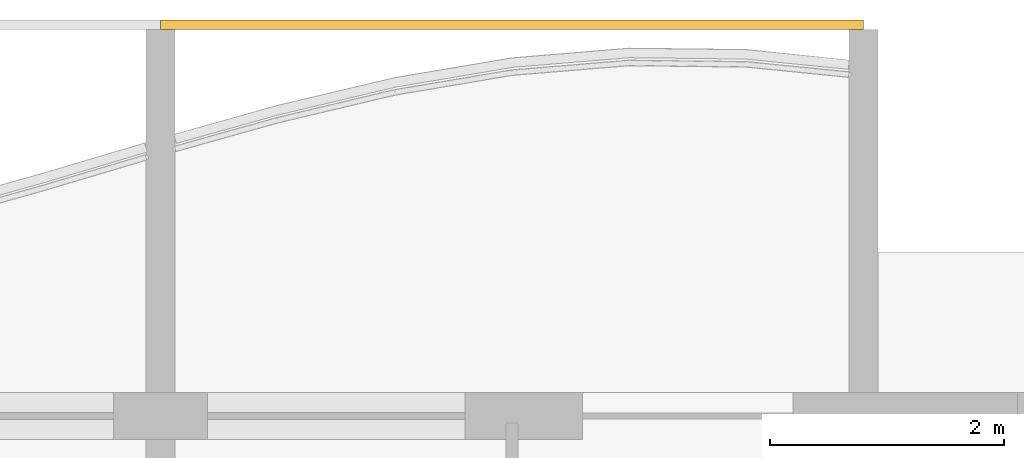
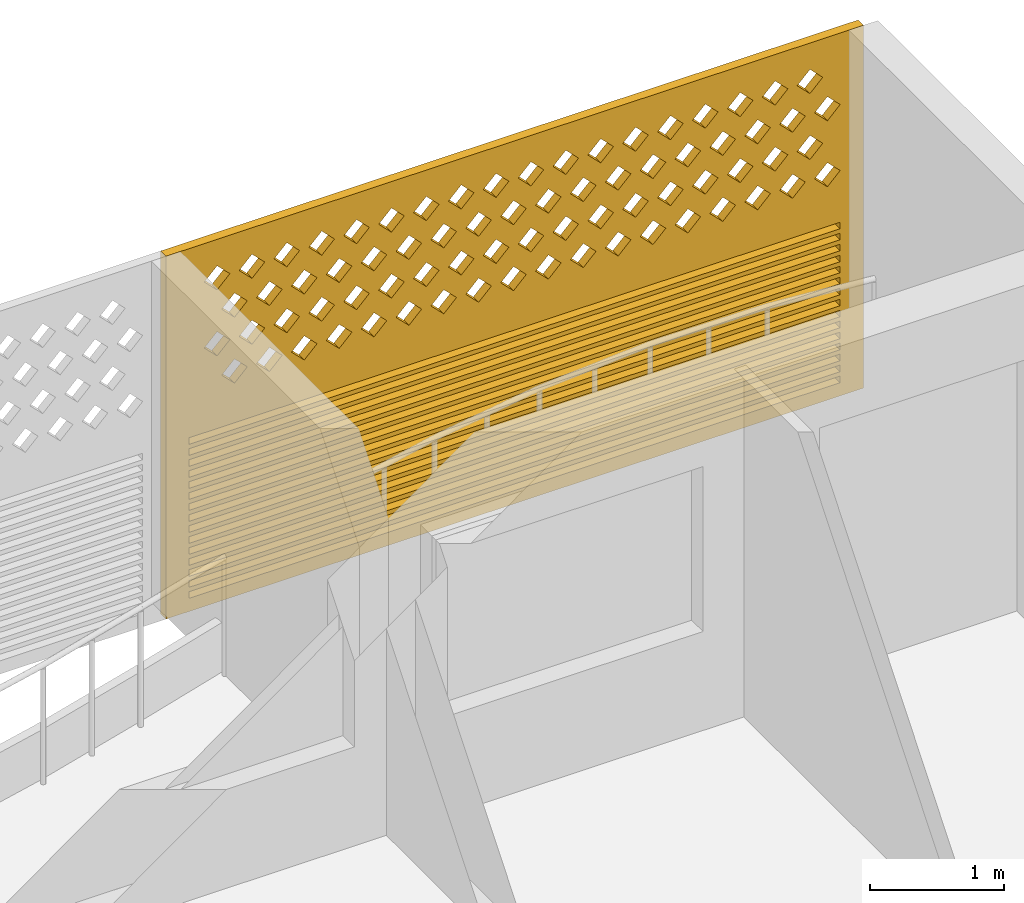
# One storey, part 26 of 26: 1 covering.
"""IFC4 building model written with IfcOpenShell, lengths in metres."""

from ifc_helpers import new_model, si_unit, direction, frame, origin, place, context, subcontext, project, spatial, polyline, outline, extrude, source, transform, mapped, material, material_profile, profile_set, type_object, element, save


model = new_model("IFC4")

# Units and contexts
model_context = context("Model", 3, precision=1e-05, world=origin(), true_north=direction((0.0, 1.0)))
body_context = subcontext(model_context, "Body", "Model", "MODEL_VIEW")
ifc_project = project(units=[si_unit("LENGTHUNIT", "METRE"), si_unit("AREAUNIT", "SQUARE_METRE"), si_unit("VOLUMEUNIT", "CUBIC_METRE"), si_unit("PLANEANGLEUNIT", "RADIAN"), si_unit("MASSUNIT", "GRAM", prefix="KILO")], contexts=[model_context])

# Site, building, storey
site_placement = place(None, origin())
site = spatial("IfcSite", under=ifc_project, at=site_placement, CompositionType="ELEMENT")
building_placement = place(site_placement, origin())
building = spatial("IfcBuilding", under=site, at=building_placement, Name="Poui Terraces", CompositionType="ELEMENT")
storey_placement = place(building_placement, frame((0.0, 0.0, 171.89990234375)))
storey = spatial("IfcBuildingStorey", under=building, at=storey_placement, Name="L47", CompositionType="ELEMENT", Elevation=171.89990234375)

# Covering
ifc_material = material(Name="Terracotta screen", Category="masonry")
ifc_material_profile = material_profile(ifc_material, outline(polyline([(-3.0, -1.64990234375), (3.0, -1.64990234375), (3.0, 1.64990234375), (-3.0, 1.64990234375), (-3.0, -1.64990234375)]), holes=[polyline([(-2.800048828125, 0.39990234375), (-2.68994140625, 0.2900390625), (-2.580078125, 0.39990234375), (-2.68994140625, 0.510009765625), (-2.800048828125, 0.39990234375)]), polyline([(-2.5, 0.39990234375), (-2.389892578125, 0.2900390625), (-2.280029296875, 0.39990234375), (-2.389892578125, 0.510009765625), (-2.5, 0.39990234375)]), polyline([(-2.199951171875, 0.39990234375), (-2.090087890625, 0.2900390625), (-1.97998046875, 0.39990234375), (-2.090087890625, 0.510009765625), (-2.199951171875, 0.39990234375)]), polyline([(-1.89990234375, 0.39990234375), (-1.7900390625, 0.2900390625), (-1.679931640625, 0.39990234375), (-1.7900390625, 0.510009765625), (-1.89990234375, 0.39990234375)]), polyline([(-1.60009765625, 0.39990234375), (-1.489990234375, 0.2900390625), (-1.3798828125, 0.39990234375), (-1.489990234375, 0.510009765625), (-1.60009765625, 0.39990234375)]), polyline([(-1.300048828125, 0.39990234375), (-1.18994140625, 0.2900390625), (-1.080078125, 0.39990234375), (-1.18994140625, 0.510009765625), (-1.300048828125, 0.39990234375)]), polyline([(-1.0, 0.39990234375), (-0.889892578125, 0.2900390625), (-0.780029296875, 0.39990234375), (-0.889892578125, 0.510009765625), (-1.0, 0.39990234375)]), polyline([(-0.699951171875, 0.39990234375), (-0.590087890625, 0.2900390625), (-0.47998046875, 0.39990234375), (-0.590087890625, 0.510009765625), (-0.699951171875, 0.39990234375)]), polyline([(-0.39990234375, 0.39990234375), (-0.2900390625, 0.2900390625), (-0.179931640625, 0.39990234375), (-0.2900390625, 0.510009765625), (-0.39990234375, 0.39990234375)]), polyline([(-0.10009765625, 0.39990234375), (0.010009765625, 0.2900390625), (0.1201171875, 0.39990234375), (0.010009765625, 0.510009765625), (-0.10009765625, 0.39990234375)]), polyline([(0.199951171875, 0.39990234375), (0.31005859375, 0.2900390625), (0.419921875, 0.39990234375), (0.31005859375, 0.510009765625), (0.199951171875, 0.39990234375)]), polyline([(0.5, 0.39990234375), (0.610107421875, 0.2900390625), (0.719970703125, 0.39990234375), (0.610107421875, 0.510009765625), (0.5, 0.39990234375)]), polyline([(0.800048828125, 0.39990234375), (0.909912109375, 0.2900390625), (1.02001953125, 0.39990234375), (0.909912109375, 0.510009765625), (0.800048828125, 0.39990234375)]), polyline([(1.10009765625, 0.39990234375), (1.2099609375, 0.2900390625), (1.320068359375, 0.39990234375), (1.2099609375, 0.510009765625), (1.10009765625, 0.39990234375)]), polyline([(1.39990234375, 0.39990234375), (1.510009765625, 0.2900390625), (1.6201171875, 0.39990234375), (1.510009765625, 0.510009765625), (1.39990234375, 0.39990234375)]), polyline([(1.699951171875, 0.39990234375), (1.81005859375, 0.2900390625), (1.919921875, 0.39990234375), (1.81005859375, 0.510009765625), (1.699951171875, 0.39990234375)]), polyline([(2.0, 0.39990234375), (2.110107421875, 0.2900390625), (2.219970703125, 0.39990234375), (2.110107421875, 0.510009765625), (2.0, 0.39990234375)]), polyline([(2.300048828125, 0.39990234375), (2.409912109375, 0.2900390625), (2.52001953125, 0.39990234375), (2.409912109375, 0.510009765625), (2.300048828125, 0.39990234375)]), polyline([(-2.64990234375, 0.699951171875), (-2.5400390625, 0.590087890625), (-2.429931640625, 0.699951171875), (-2.5400390625, 0.81005859375), (-2.64990234375, 0.699951171875)]), polyline([(-2.35009765625, 0.699951171875), (-2.239990234375, 0.590087890625), (-2.1298828125, 0.699951171875), (-2.239990234375, 0.81005859375), (-2.35009765625, 0.699951171875)]), polyline([(-2.050048828125, 0.699951171875), (-1.93994140625, 0.590087890625), (-1.830078125, 0.699951171875), (-1.93994140625, 0.81005859375), (-2.050048828125, 0.699951171875)]), polyline([(-1.75, 0.699951171875), (-1.639892578125, 0.590087890625), (-1.530029296875, 0.699951171875), (-1.639892578125, 0.81005859375), (-1.75, 0.699951171875)]), polyline([(-1.449951171875, 0.699951171875), (-1.340087890625, 0.590087890625), (-1.22998046875, 0.699951171875), (-1.340087890625, 0.81005859375), (-1.449951171875, 0.699951171875)]), polyline([(-1.14990234375, 0.699951171875), (-1.0400390625, 0.590087890625), (-0.929931640625, 0.699951171875), (-1.0400390625, 0.81005859375), (-1.14990234375, 0.699951171875)]), polyline([(-0.85009765625, 0.699951171875), (-0.739990234375, 0.590087890625), (-0.6298828125, 0.699951171875), (-0.739990234375, 0.81005859375), (-0.85009765625, 0.699951171875)]), polyline([(-0.550048828125, 0.699951171875), (-0.43994140625, 0.590087890625), (-0.330078125, 0.699951171875), (-0.43994140625, 0.81005859375), (-0.550048828125, 0.699951171875)]), polyline([(-0.25, 0.699951171875), (-0.139892578125, 0.590087890625), (-0.030029296875, 0.699951171875), (-0.139892578125, 0.81005859375), (-0.25, 0.699951171875)]), polyline([(0.050048828125, 0.699951171875), (0.159912109375, 0.590087890625), (0.27001953125, 0.699951171875), (0.159912109375, 0.81005859375), (0.050048828125, 0.699951171875)]), polyline([(0.35009765625, 0.699951171875), (0.4599609375, 0.590087890625), (0.570068359375, 0.699951171875), (0.4599609375, 0.81005859375), (0.35009765625, 0.699951171875)]), polyline([(0.64990234375, 0.699951171875), (0.760009765625, 0.590087890625), (0.8701171875, 0.699951171875), (0.760009765625, 0.81005859375), (0.64990234375, 0.699951171875)]), polyline([(0.949951171875, 0.699951171875), (1.06005859375, 0.590087890625), (1.169921875, 0.699951171875), (1.06005859375, 0.81005859375), (0.949951171875, 0.699951171875)]), polyline([(1.25, 0.699951171875), (1.360107421875, 0.590087890625), (1.469970703125, 0.699951171875), (1.360107421875, 0.81005859375), (1.25, 0.699951171875)]), polyline([(1.550048828125, 0.699951171875), (1.659912109375, 0.590087890625), (1.77001953125, 0.699951171875), (1.659912109375, 0.81005859375), (1.550048828125, 0.699951171875)]), polyline([(1.85009765625, 0.699951171875), (1.9599609375, 0.590087890625), (2.070068359375, 0.699951171875), (1.9599609375, 0.81005859375), (1.85009765625, 0.699951171875)]), polyline([(2.14990234375, 0.699951171875), (2.260009765625, 0.590087890625), (2.3701171875, 0.699951171875), (2.260009765625, 0.81005859375), (2.14990234375, 0.699951171875)]), polyline([(2.449951171875, 0.699951171875), (2.56005859375, 0.590087890625), (2.669921875, 0.699951171875), (2.56005859375, 0.81005859375), (2.449951171875, 0.699951171875)]), polyline([(-2.800048828125, 1.0), (-2.68994140625, 0.889892578125), (-2.580078125, 1.0), (-2.68994140625, 1.110107421875), (-2.800048828125, 1.0)]), polyline([(-2.5, 1.0), (-2.389892578125, 0.889892578125), (-2.280029296875, 1.0), (-2.389892578125, 1.110107421875), (-2.5, 1.0)]), polyline([(-2.199951171875, 1.0), (-2.090087890625, 0.889892578125), (-1.97998046875, 1.0), (-2.090087890625, 1.110107421875), (-2.199951171875, 1.0)]), polyline([(-1.89990234375, 1.0), (-1.7900390625, 0.889892578125), (-1.679931640625, 1.0), (-1.7900390625, 1.110107421875), (-1.89990234375, 1.0)]), polyline([(-1.60009765625, 1.0), (-1.489990234375, 0.889892578125), (-1.3798828125, 1.0), (-1.489990234375, 1.110107421875), (-1.60009765625, 1.0)]), polyline([(-1.300048828125, 1.0), (-1.18994140625, 0.889892578125), (-1.080078125, 1.0), (-1.18994140625, 1.110107421875), (-1.300048828125, 1.0)]), polyline([(-1.0, 1.0), (-0.889892578125, 0.889892578125), (-0.780029296875, 1.0), (-0.889892578125, 1.110107421875), (-1.0, 1.0)]), polyline([(-0.699951171875, 1.0), (-0.590087890625, 0.889892578125), (-0.47998046875, 1.0), (-0.590087890625, 1.110107421875), (-0.699951171875, 1.0)]), polyline([(-0.39990234375, 1.0), (-0.2900390625, 0.889892578125), (-0.179931640625, 1.0), (-0.2900390625, 1.110107421875), (-0.39990234375, 1.0)]), polyline([(-0.10009765625, 1.0), (0.010009765625, 0.889892578125), (0.1201171875, 1.0), (0.010009765625, 1.110107421875), (-0.10009765625, 1.0)]), polyline([(0.199951171875, 1.0), (0.31005859375, 0.889892578125), (0.419921875, 1.0), (0.31005859375, 1.110107421875), (0.199951171875, 1.0)]), polyline([(0.5, 1.0), (0.610107421875, 0.889892578125), (0.719970703125, 1.0), (0.610107421875, 1.110107421875), (0.5, 1.0)]), polyline([(0.800048828125, 1.0), (0.909912109375, 0.889892578125), (1.02001953125, 1.0), (0.909912109375, 1.110107421875), (0.800048828125, 1.0)]), polyline([(1.10009765625, 1.0), (1.2099609375, 0.889892578125), (1.320068359375, 1.0), (1.2099609375, 1.110107421875), (1.10009765625, 1.0)]), polyline([(1.39990234375, 1.0), (1.510009765625, 0.889892578125), (1.6201171875, 1.0), (1.510009765625, 1.110107421875), (1.39990234375, 1.0)]), polyline([(1.699951171875, 1.0), (1.81005859375, 0.889892578125), (1.919921875, 1.0), (1.81005859375, 1.110107421875), (1.699951171875, 1.0)]), polyline([(2.0, 1.0), (2.110107421875, 0.889892578125), (2.219970703125, 1.0), (2.110107421875, 1.110107421875), (2.0, 1.0)]), polyline([(2.300048828125, 1.0), (2.409912109375, 0.889892578125), (2.52001953125, 1.0), (2.409912109375, 1.110107421875), (2.300048828125, 1.0)]), polyline([(-2.64990234375, 1.300048828125), (-2.5400390625, 1.18994140625), (-2.429931640625, 1.300048828125), (-2.5400390625, 1.409912109375), (-2.64990234375, 1.300048828125)]), polyline([(-2.35009765625, 1.300048828125), (-2.239990234375, 1.18994140625), (-2.1298828125, 1.300048828125), (-2.239990234375, 1.409912109375), (-2.35009765625, 1.300048828125)]), polyline([(-2.050048828125, 1.300048828125), (-1.93994140625, 1.18994140625), (-1.830078125, 1.300048828125), (-1.93994140625, 1.409912109375), (-2.050048828125, 1.300048828125)]), polyline([(-1.75, 1.300048828125), (-1.639892578125, 1.18994140625), (-1.530029296875, 1.300048828125), (-1.639892578125, 1.409912109375), (-1.75, 1.300048828125)]), polyline([(-1.449951171875, 1.300048828125), (-1.340087890625, 1.18994140625), (-1.22998046875, 1.300048828125), (-1.340087890625, 1.409912109375), (-1.449951171875, 1.300048828125)]), polyline([(-1.14990234375, 1.300048828125), (-1.0400390625, 1.18994140625), (-0.929931640625, 1.300048828125), (-1.0400390625, 1.409912109375), (-1.14990234375, 1.300048828125)]), polyline([(-0.85009765625, 1.300048828125), (-0.739990234375, 1.18994140625), (-0.6298828125, 1.300048828125), (-0.739990234375, 1.409912109375), (-0.85009765625, 1.300048828125)]), polyline([(-0.550048828125, 1.300048828125), (-0.43994140625, 1.18994140625), (-0.330078125, 1.300048828125), (-0.43994140625, 1.409912109375), (-0.550048828125, 1.300048828125)]), polyline([(-0.25, 1.300048828125), (-0.139892578125, 1.18994140625), (-0.030029296875, 1.300048828125), (-0.139892578125, 1.409912109375), (-0.25, 1.300048828125)]), polyline([(0.050048828125, 1.300048828125), (0.159912109375, 1.18994140625), (0.27001953125, 1.300048828125), (0.159912109375, 1.409912109375), (0.050048828125, 1.300048828125)]), polyline([(0.35009765625, 1.300048828125), (0.4599609375, 1.18994140625), (0.570068359375, 1.300048828125), (0.4599609375, 1.409912109375), (0.35009765625, 1.300048828125)]), polyline([(0.64990234375, 1.300048828125), (0.760009765625, 1.18994140625), (0.8701171875, 1.300048828125), (0.760009765625, 1.409912109375), (0.64990234375, 1.300048828125)]), polyline([(0.949951171875, 1.300048828125), (1.06005859375, 1.18994140625), (1.169921875, 1.300048828125), (1.06005859375, 1.409912109375), (0.949951171875, 1.300048828125)]), polyline([(1.25, 1.300048828125), (1.360107421875, 1.18994140625), (1.469970703125, 1.300048828125), (1.360107421875, 1.409912109375), (1.25, 1.300048828125)]), polyline([(1.550048828125, 1.300048828125), (1.659912109375, 1.18994140625), (1.77001953125, 1.300048828125), (1.659912109375, 1.409912109375), (1.550048828125, 1.300048828125)]), polyline([(1.85009765625, 1.300048828125), (1.9599609375, 1.18994140625), (2.070068359375, 1.300048828125), (1.9599609375, 1.409912109375), (1.85009765625, 1.300048828125)]), polyline([(2.14990234375, 1.300048828125), (2.260009765625, 1.18994140625), (2.3701171875, 1.300048828125), (2.260009765625, 1.409912109375), (2.14990234375, 1.300048828125)]), polyline([(2.449951171875, 1.300048828125), (2.56005859375, 1.18994140625), (2.669921875, 1.300048828125), (2.56005859375, 1.409912109375), (2.449951171875, 1.300048828125)]), polyline([(-2.800048828125, -1.530029296875), (2.800048828125, -1.530029296875), (2.800048828125, -1.469970703125), (-2.800048828125, -1.469970703125), (-2.800048828125, -1.530029296875)]), polyline([(-2.800048828125, -1.429931640625), (2.800048828125, -1.429931640625), (2.800048828125, -1.3701171875), (-2.800048828125, -1.3701171875), (-2.800048828125, -1.429931640625)]), polyline([(-2.800048828125, -1.330078125), (2.800048828125, -1.330078125), (2.800048828125, -1.27001953125), (-2.800048828125, -1.27001953125), (-2.800048828125, -1.330078125)]), polyline([(-2.800048828125, -1.22998046875), (2.800048828125, -1.22998046875), (2.800048828125, -1.169921875), (-2.800048828125, -1.169921875), (-2.800048828125, -1.22998046875)]), polyline([(-2.800048828125, -1.1298828125), (2.800048828125, -1.1298828125), (2.800048828125, -1.070068359375), (-2.800048828125, -1.070068359375), (-2.800048828125, -1.1298828125)]), polyline([(-2.800048828125, -1.030029296875), (2.800048828125, -1.030029296875), (2.800048828125, -0.969970703125), (-2.800048828125, -0.969970703125), (-2.800048828125, -1.030029296875)]), polyline([(-2.800048828125, -0.929931640625), (2.800048828125, -0.929931640625), (2.800048828125, -0.8701171875), (-2.800048828125, -0.8701171875), (-2.800048828125, -0.929931640625)]), polyline([(-2.800048828125, -0.830078125), (2.800048828125, -0.830078125), (2.800048828125, -0.77001953125), (-2.800048828125, -0.77001953125), (-2.800048828125, -0.830078125)]), polyline([(-2.800048828125, -0.72998046875), (2.800048828125, -0.72998046875), (2.800048828125, -0.669921875), (-2.800048828125, -0.669921875), (-2.800048828125, -0.72998046875)]), polyline([(-2.800048828125, -0.6298828125), (2.800048828125, -0.6298828125), (2.800048828125, -0.570068359375), (-2.800048828125, -0.570068359375), (-2.800048828125, -0.6298828125)]), polyline([(-2.800048828125, -0.530029296875), (2.800048828125, -0.530029296875), (2.800048828125, -0.469970703125), (-2.800048828125, -0.469970703125), (-2.800048828125, -0.530029296875)]), polyline([(-2.800048828125, -0.429931640625), (2.800048828125, -0.429931640625), (2.800048828125, -0.3701171875), (-2.800048828125, -0.3701171875), (-2.800048828125, -0.429931640625)]), polyline([(-2.800048828125, -0.330078125), (2.800048828125, -0.330078125), (2.800048828125, -0.27001953125), (-2.800048828125, -0.27001953125), (-2.800048828125, -0.330078125)]), polyline([(-2.800048828125, -0.22998046875), (2.800048828125, -0.22998046875), (2.800048828125, -0.169921875), (-2.800048828125, -0.169921875), (-2.800048828125, -0.22998046875)]), polyline([(-2.800048828125, -0.1298828125), (2.800048828125, -0.1298828125), (2.800048828125, -0.070068359375), (-2.800048828125, -0.070068359375), (-2.800048828125, -0.1298828125)])]), Name="TERRACOTTA SCREEN AND JALOUSIE LOUVRE 6000X3300")
ifc_profile_set = profile_set([ifc_material_profile], Name="Terracotta screen")
covering_type = type_object("IfcCoveringType", Name="TERRACOTTA SCREEN AND JALOUSIE LOUVRE 6000X3300", PredefinedType="CLADDING", material=ifc_profile_set)
shared_shape = source(origin(), body_context, "Body", "SweptSolid", [
    extrude(outline(polyline([(-3.0, -1.64990234375), (3.0, -1.64990234375), (3.0, 1.64990234375), (-3.0, 1.64990234375), (-3.0, -1.64990234375)]), holes=[polyline([(-2.800048828125, 0.39990234375), (-2.68994140625, 0.2900390625), (-2.580078125, 0.39990234375), (-2.68994140625, 0.510009765625), (-2.800048828125, 0.39990234375)]), polyline([(-2.5, 0.39990234375), (-2.389892578125, 0.2900390625), (-2.280029296875, 0.39990234375), (-2.389892578125, 0.510009765625), (-2.5, 0.39990234375)]), polyline([(-2.199951171875, 0.39990234375), (-2.090087890625, 0.2900390625), (-1.97998046875, 0.39990234375), (-2.090087890625, 0.510009765625), (-2.199951171875, 0.39990234375)]), polyline([(-1.89990234375, 0.39990234375), (-1.7900390625, 0.2900390625), (-1.679931640625, 0.39990234375), (-1.7900390625, 0.510009765625), (-1.89990234375, 0.39990234375)]), polyline([(-1.60009765625, 0.39990234375), (-1.489990234375, 0.2900390625), (-1.3798828125, 0.39990234375), (-1.489990234375, 0.510009765625), (-1.60009765625, 0.39990234375)]), polyline([(-1.300048828125, 0.39990234375), (-1.18994140625, 0.2900390625), (-1.080078125, 0.39990234375), (-1.18994140625, 0.510009765625), (-1.300048828125, 0.39990234375)]), polyline([(-1.0, 0.39990234375), (-0.889892578125, 0.2900390625), (-0.780029296875, 0.39990234375), (-0.889892578125, 0.510009765625), (-1.0, 0.39990234375)]), polyline([(-0.699951171875, 0.39990234375), (-0.590087890625, 0.2900390625), (-0.47998046875, 0.39990234375), (-0.590087890625, 0.510009765625), (-0.699951171875, 0.39990234375)]), polyline([(-0.39990234375, 0.39990234375), (-0.2900390625, 0.2900390625), (-0.179931640625, 0.39990234375), (-0.2900390625, 0.510009765625), (-0.39990234375, 0.39990234375)]), polyline([(-0.10009765625, 0.39990234375), (0.010009765625, 0.2900390625), (0.1201171875, 0.39990234375), (0.010009765625, 0.510009765625), (-0.10009765625, 0.39990234375)]), polyline([(0.199951171875, 0.39990234375), (0.31005859375, 0.2900390625), (0.419921875, 0.39990234375), (0.31005859375, 0.510009765625), (0.199951171875, 0.39990234375)]), polyline([(0.5, 0.39990234375), (0.610107421875, 0.2900390625), (0.719970703125, 0.39990234375), (0.610107421875, 0.510009765625), (0.5, 0.39990234375)]), polyline([(0.800048828125, 0.39990234375), (0.909912109375, 0.2900390625), (1.02001953125, 0.39990234375), (0.909912109375, 0.510009765625), (0.800048828125, 0.39990234375)]), polyline([(1.10009765625, 0.39990234375), (1.2099609375, 0.2900390625), (1.320068359375, 0.39990234375), (1.2099609375, 0.510009765625), (1.10009765625, 0.39990234375)]), polyline([(1.39990234375, 0.39990234375), (1.510009765625, 0.2900390625), (1.6201171875, 0.39990234375), (1.510009765625, 0.510009765625), (1.39990234375, 0.39990234375)]), polyline([(1.699951171875, 0.39990234375), (1.81005859375, 0.2900390625), (1.919921875, 0.39990234375), (1.81005859375, 0.510009765625), (1.699951171875, 0.39990234375)]), polyline([(2.0, 0.39990234375), (2.110107421875, 0.2900390625), (2.219970703125, 0.39990234375), (2.110107421875, 0.510009765625), (2.0, 0.39990234375)]), polyline([(2.300048828125, 0.39990234375), (2.409912109375, 0.2900390625), (2.52001953125, 0.39990234375), (2.409912109375, 0.510009765625), (2.300048828125, 0.39990234375)]), polyline([(-2.64990234375, 0.699951171875), (-2.5400390625, 0.590087890625), (-2.429931640625, 0.699951171875), (-2.5400390625, 0.81005859375), (-2.64990234375, 0.699951171875)]), polyline([(-2.35009765625, 0.699951171875), (-2.239990234375, 0.590087890625), (-2.1298828125, 0.699951171875), (-2.239990234375, 0.81005859375), (-2.35009765625, 0.699951171875)]), polyline([(-2.050048828125, 0.699951171875), (-1.93994140625, 0.590087890625), (-1.830078125, 0.699951171875), (-1.93994140625, 0.81005859375), (-2.050048828125, 0.699951171875)]), polyline([(-1.75, 0.699951171875), (-1.639892578125, 0.590087890625), (-1.530029296875, 0.699951171875), (-1.639892578125, 0.81005859375), (-1.75, 0.699951171875)]), polyline([(-1.449951171875, 0.699951171875), (-1.340087890625, 0.590087890625), (-1.22998046875, 0.699951171875), (-1.340087890625, 0.81005859375), (-1.449951171875, 0.699951171875)]), polyline([(-1.14990234375, 0.699951171875), (-1.0400390625, 0.590087890625), (-0.929931640625, 0.699951171875), (-1.0400390625, 0.81005859375), (-1.14990234375, 0.699951171875)]), polyline([(-0.85009765625, 0.699951171875), (-0.739990234375, 0.590087890625), (-0.6298828125, 0.699951171875), (-0.739990234375, 0.81005859375), (-0.85009765625, 0.699951171875)]), polyline([(-0.550048828125, 0.699951171875), (-0.43994140625, 0.590087890625), (-0.330078125, 0.699951171875), (-0.43994140625, 0.81005859375), (-0.550048828125, 0.699951171875)]), polyline([(-0.25, 0.699951171875), (-0.139892578125, 0.590087890625), (-0.030029296875, 0.699951171875), (-0.139892578125, 0.81005859375), (-0.25, 0.699951171875)]), polyline([(0.050048828125, 0.699951171875), (0.159912109375, 0.590087890625), (0.27001953125, 0.699951171875), (0.159912109375, 0.81005859375), (0.050048828125, 0.699951171875)]), polyline([(0.35009765625, 0.699951171875), (0.4599609375, 0.590087890625), (0.570068359375, 0.699951171875), (0.4599609375, 0.81005859375), (0.35009765625, 0.699951171875)]), polyline([(0.64990234375, 0.699951171875), (0.760009765625, 0.590087890625), (0.8701171875, 0.699951171875), (0.760009765625, 0.81005859375), (0.64990234375, 0.699951171875)]), polyline([(0.949951171875, 0.699951171875), (1.06005859375, 0.590087890625), (1.169921875, 0.699951171875), (1.06005859375, 0.81005859375), (0.949951171875, 0.699951171875)]), polyline([(1.25, 0.699951171875), (1.360107421875, 0.590087890625), (1.469970703125, 0.699951171875), (1.360107421875, 0.81005859375), (1.25, 0.699951171875)]), polyline([(1.550048828125, 0.699951171875), (1.659912109375, 0.590087890625), (1.77001953125, 0.699951171875), (1.659912109375, 0.81005859375), (1.550048828125, 0.699951171875)]), polyline([(1.85009765625, 0.699951171875), (1.9599609375, 0.590087890625), (2.070068359375, 0.699951171875), (1.9599609375, 0.81005859375), (1.85009765625, 0.699951171875)]), polyline([(2.14990234375, 0.699951171875), (2.260009765625, 0.590087890625), (2.3701171875, 0.699951171875), (2.260009765625, 0.81005859375), (2.14990234375, 0.699951171875)]), polyline([(2.449951171875, 0.699951171875), (2.56005859375, 0.590087890625), (2.669921875, 0.699951171875), (2.56005859375, 0.81005859375), (2.449951171875, 0.699951171875)]), polyline([(-2.800048828125, 1.0), (-2.68994140625, 0.889892578125), (-2.580078125, 1.0), (-2.68994140625, 1.110107421875), (-2.800048828125, 1.0)]), polyline([(-2.5, 1.0), (-2.389892578125, 0.889892578125), (-2.280029296875, 1.0), (-2.389892578125, 1.110107421875), (-2.5, 1.0)]), polyline([(-2.199951171875, 1.0), (-2.090087890625, 0.889892578125), (-1.97998046875, 1.0), (-2.090087890625, 1.110107421875), (-2.199951171875, 1.0)]), polyline([(-1.89990234375, 1.0), (-1.7900390625, 0.889892578125), (-1.679931640625, 1.0), (-1.7900390625, 1.110107421875), (-1.89990234375, 1.0)]), polyline([(-1.60009765625, 1.0), (-1.489990234375, 0.889892578125), (-1.3798828125, 1.0), (-1.489990234375, 1.110107421875), (-1.60009765625, 1.0)]), polyline([(-1.300048828125, 1.0), (-1.18994140625, 0.889892578125), (-1.080078125, 1.0), (-1.18994140625, 1.110107421875), (-1.300048828125, 1.0)]), polyline([(-1.0, 1.0), (-0.889892578125, 0.889892578125), (-0.780029296875, 1.0), (-0.889892578125, 1.110107421875), (-1.0, 1.0)]), polyline([(-0.699951171875, 1.0), (-0.590087890625, 0.889892578125), (-0.47998046875, 1.0), (-0.590087890625, 1.110107421875), (-0.699951171875, 1.0)]), polyline([(-0.39990234375, 1.0), (-0.2900390625, 0.889892578125), (-0.179931640625, 1.0), (-0.2900390625, 1.110107421875), (-0.39990234375, 1.0)]), polyline([(-0.10009765625, 1.0), (0.010009765625, 0.889892578125), (0.1201171875, 1.0), (0.010009765625, 1.110107421875), (-0.10009765625, 1.0)]), polyline([(0.199951171875, 1.0), (0.31005859375, 0.889892578125), (0.419921875, 1.0), (0.31005859375, 1.110107421875), (0.199951171875, 1.0)]), polyline([(0.5, 1.0), (0.610107421875, 0.889892578125), (0.719970703125, 1.0), (0.610107421875, 1.110107421875), (0.5, 1.0)]), polyline([(0.800048828125, 1.0), (0.909912109375, 0.889892578125), (1.02001953125, 1.0), (0.909912109375, 1.110107421875), (0.800048828125, 1.0)]), polyline([(1.10009765625, 1.0), (1.2099609375, 0.889892578125), (1.320068359375, 1.0), (1.2099609375, 1.110107421875), (1.10009765625, 1.0)]), polyline([(1.39990234375, 1.0), (1.510009765625, 0.889892578125), (1.6201171875, 1.0), (1.510009765625, 1.110107421875), (1.39990234375, 1.0)]), polyline([(1.699951171875, 1.0), (1.81005859375, 0.889892578125), (1.919921875, 1.0), (1.81005859375, 1.110107421875), (1.699951171875, 1.0)]), polyline([(2.0, 1.0), (2.110107421875, 0.889892578125), (2.219970703125, 1.0), (2.110107421875, 1.110107421875), (2.0, 1.0)]), polyline([(2.300048828125, 1.0), (2.409912109375, 0.889892578125), (2.52001953125, 1.0), (2.409912109375, 1.110107421875), (2.300048828125, 1.0)]), polyline([(-2.64990234375, 1.300048828125), (-2.5400390625, 1.18994140625), (-2.429931640625, 1.300048828125), (-2.5400390625, 1.409912109375), (-2.64990234375, 1.300048828125)]), polyline([(-2.35009765625, 1.300048828125), (-2.239990234375, 1.18994140625), (-2.1298828125, 1.300048828125), (-2.239990234375, 1.409912109375), (-2.35009765625, 1.300048828125)]), polyline([(-2.050048828125, 1.300048828125), (-1.93994140625, 1.18994140625), (-1.830078125, 1.300048828125), (-1.93994140625, 1.409912109375), (-2.050048828125, 1.300048828125)]), polyline([(-1.75, 1.300048828125), (-1.639892578125, 1.18994140625), (-1.530029296875, 1.300048828125), (-1.639892578125, 1.409912109375), (-1.75, 1.300048828125)]), polyline([(-1.449951171875, 1.300048828125), (-1.340087890625, 1.18994140625), (-1.22998046875, 1.300048828125), (-1.340087890625, 1.409912109375), (-1.449951171875, 1.300048828125)]), polyline([(-1.14990234375, 1.300048828125), (-1.0400390625, 1.18994140625), (-0.929931640625, 1.300048828125), (-1.0400390625, 1.409912109375), (-1.14990234375, 1.300048828125)]), polyline([(-0.85009765625, 1.300048828125), (-0.739990234375, 1.18994140625), (-0.6298828125, 1.300048828125), (-0.739990234375, 1.409912109375), (-0.85009765625, 1.300048828125)]), polyline([(-0.550048828125, 1.300048828125), (-0.43994140625, 1.18994140625), (-0.330078125, 1.300048828125), (-0.43994140625, 1.409912109375), (-0.550048828125, 1.300048828125)]), polyline([(-0.25, 1.300048828125), (-0.139892578125, 1.18994140625), (-0.030029296875, 1.300048828125), (-0.139892578125, 1.409912109375), (-0.25, 1.300048828125)]), polyline([(0.050048828125, 1.300048828125), (0.159912109375, 1.18994140625), (0.27001953125, 1.300048828125), (0.159912109375, 1.409912109375), (0.050048828125, 1.300048828125)]), polyline([(0.35009765625, 1.300048828125), (0.4599609375, 1.18994140625), (0.570068359375, 1.300048828125), (0.4599609375, 1.409912109375), (0.35009765625, 1.300048828125)]), polyline([(0.64990234375, 1.300048828125), (0.760009765625, 1.18994140625), (0.8701171875, 1.300048828125), (0.760009765625, 1.409912109375), (0.64990234375, 1.300048828125)]), polyline([(0.949951171875, 1.300048828125), (1.06005859375, 1.18994140625), (1.169921875, 1.300048828125), (1.06005859375, 1.409912109375), (0.949951171875, 1.300048828125)]), polyline([(1.25, 1.300048828125), (1.360107421875, 1.18994140625), (1.469970703125, 1.300048828125), (1.360107421875, 1.409912109375), (1.25, 1.300048828125)]), polyline([(1.550048828125, 1.300048828125), (1.659912109375, 1.18994140625), (1.77001953125, 1.300048828125), (1.659912109375, 1.409912109375), (1.550048828125, 1.300048828125)]), polyline([(1.85009765625, 1.300048828125), (1.9599609375, 1.18994140625), (2.070068359375, 1.300048828125), (1.9599609375, 1.409912109375), (1.85009765625, 1.300048828125)]), polyline([(2.14990234375, 1.300048828125), (2.260009765625, 1.18994140625), (2.3701171875, 1.300048828125), (2.260009765625, 1.409912109375), (2.14990234375, 1.300048828125)]), polyline([(2.449951171875, 1.300048828125), (2.56005859375, 1.18994140625), (2.669921875, 1.300048828125), (2.56005859375, 1.409912109375), (2.449951171875, 1.300048828125)]), polyline([(-2.800048828125, -1.530029296875), (2.800048828125, -1.530029296875), (2.800048828125, -1.469970703125), (-2.800048828125, -1.469970703125), (-2.800048828125, -1.530029296875)]), polyline([(-2.800048828125, -1.429931640625), (2.800048828125, -1.429931640625), (2.800048828125, -1.3701171875), (-2.800048828125, -1.3701171875), (-2.800048828125, -1.429931640625)]), polyline([(-2.800048828125, -1.330078125), (2.800048828125, -1.330078125), (2.800048828125, -1.27001953125), (-2.800048828125, -1.27001953125), (-2.800048828125, -1.330078125)]), polyline([(-2.800048828125, -1.22998046875), (2.800048828125, -1.22998046875), (2.800048828125, -1.169921875), (-2.800048828125, -1.169921875), (-2.800048828125, -1.22998046875)]), polyline([(-2.800048828125, -1.1298828125), (2.800048828125, -1.1298828125), (2.800048828125, -1.070068359375), (-2.800048828125, -1.070068359375), (-2.800048828125, -1.1298828125)]), polyline([(-2.800048828125, -1.030029296875), (2.800048828125, -1.030029296875), (2.800048828125, -0.969970703125), (-2.800048828125, -0.969970703125), (-2.800048828125, -1.030029296875)]), polyline([(-2.800048828125, -0.929931640625), (2.800048828125, -0.929931640625), (2.800048828125, -0.8701171875), (-2.800048828125, -0.8701171875), (-2.800048828125, -0.929931640625)]), polyline([(-2.800048828125, -0.830078125), (2.800048828125, -0.830078125), (2.800048828125, -0.77001953125), (-2.800048828125, -0.77001953125), (-2.800048828125, -0.830078125)]), polyline([(-2.800048828125, -0.72998046875), (2.800048828125, -0.72998046875), (2.800048828125, -0.669921875), (-2.800048828125, -0.669921875), (-2.800048828125, -0.72998046875)]), polyline([(-2.800048828125, -0.6298828125), (2.800048828125, -0.6298828125), (2.800048828125, -0.570068359375), (-2.800048828125, -0.570068359375), (-2.800048828125, -0.6298828125)]), polyline([(-2.800048828125, -0.530029296875), (2.800048828125, -0.530029296875), (2.800048828125, -0.469970703125), (-2.800048828125, -0.469970703125), (-2.800048828125, -0.530029296875)]), polyline([(-2.800048828125, -0.429931640625), (2.800048828125, -0.429931640625), (2.800048828125, -0.3701171875), (-2.800048828125, -0.3701171875), (-2.800048828125, -0.429931640625)]), polyline([(-2.800048828125, -0.330078125), (2.800048828125, -0.330078125), (2.800048828125, -0.27001953125), (-2.800048828125, -0.27001953125), (-2.800048828125, -0.330078125)]), polyline([(-2.800048828125, -0.22998046875), (2.800048828125, -0.22998046875), (2.800048828125, -0.169921875), (-2.800048828125, -0.169921875), (-2.800048828125, -0.22998046875)]), polyline([(-2.800048828125, -0.1298828125), (2.800048828125, -0.1298828125), (2.800048828125, -0.070068359375), (-2.800048828125, -0.070068359375), (-2.800048828125, -0.1298828125)])]), origin(), (0.0, 0.0, 1.0), 0.080078125),
])
covering_placement = place(storey_placement, frame((75.0, 44.5, 1.4501953125), z_axis=(0.0, 1.0, 0.0), x_axis=(-1.0, 0.0, 0.0)))
element("IfcCovering", 1, at=covering_placement, inside=storey, type_object=covering_type, Name="SOLAR SCREEN AND JALOUSIE LOUVRE", PredefinedType="CLADDING", context=body_context, shape_type="MappedRepresentation", body=[
    mapped(shared_shape, transform((0.0, 0.0, 0.0))),
])

save(model, "model.ifc")
